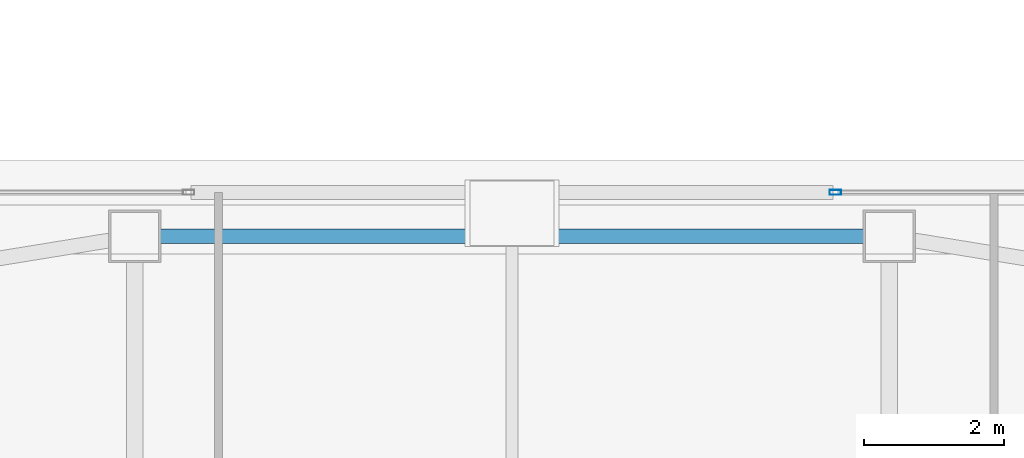
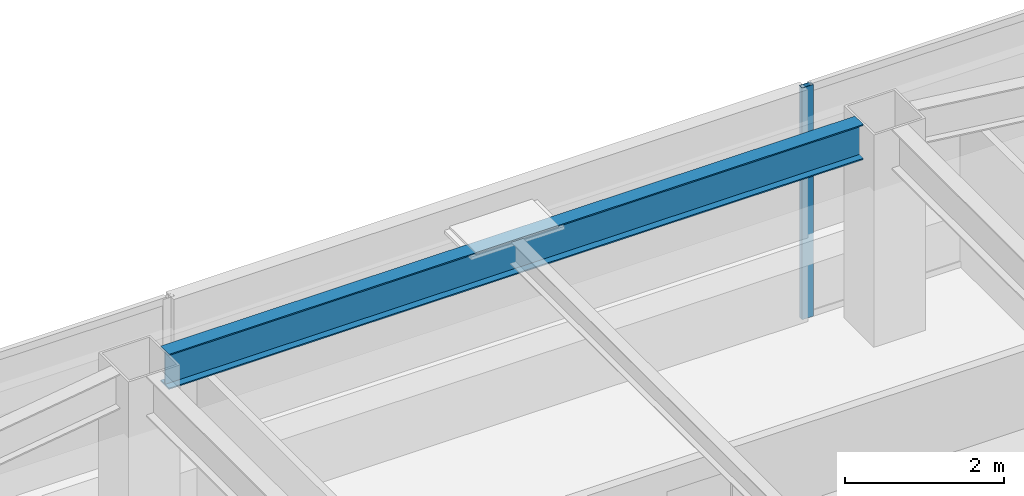
# One storey, part 14 of 39: 1 beam, 1 member, 1 element without a shape of its own.
"""IFC4 building model written with IfcOpenShell, lengths in metres."""

from ifc_helpers import new_model, si_unit, direction, frame, origin, origin_2d, place, context, subcontext, project, spatial, hollow_rectangle, i_section, extrude, material, material_profile, profile_set, type_object, element, aggregate, save


model = new_model("IFC4")

# Units and contexts
model_context = context("Model", 3, precision=1e-05, world=origin(), true_north=direction((0.0, 1.0)))
body_context = subcontext(model_context, "Body", "Model", "MODEL_VIEW")
ifc_project = project(units=[si_unit("LENGTHUNIT", "METRE"), si_unit("AREAUNIT", "SQUARE_METRE"), si_unit("VOLUMEUNIT", "CUBIC_METRE"), si_unit("PLANEANGLEUNIT", "RADIAN"), si_unit("MASSUNIT", "GRAM", prefix="KILO")], contexts=[model_context])

# Site, building, storey
site_placement = place(None, origin())
site = spatial("IfcSite", under=ifc_project, at=site_placement, CompositionType="ELEMENT")
building_placement = place(site_placement, origin())
building = spatial("IfcBuilding", under=site, at=building_placement, Name="Tashvorn Skyway Center", CompositionType="ELEMENT")
storey_placement = place(building_placement, frame((0.0, 0.0, 243.25)))
storey = spatial("IfcBuildingStorey", under=building, at=storey_placement, Name="L66", CompositionType="ELEMENT", Elevation=243.25)

# Beam
ifc_material_1 = material(Name="Steel ASTM A992 Grade 50", Category="steel")
ifc_material_profile_1 = material_profile(ifc_material_1, i_section(OverallWidth=0.2109375, OverallDepth=0.5390625, WebThickness=0.01171875, FlangeThickness=0.018798828125, at=origin_2d()), Name="W21X73")
ifc_profile_set_1 = profile_set([ifc_material_profile_1], Name="Steel ASTM A992 Grade 50")
beam_type = type_object("IfcBeamType", Name="BM-SPANDREL-W21X73", PredefinedType="SPANDREL", material=ifc_profile_set_1)
beam_placement = place(storey_placement, frame((47.030029296875, 47.050048828125, 2.98046875), z_axis=(-1.0, 0.0, 0.0), x_axis=(0.0, -1.0, 0.0)))
element("IfcBeam", 1, at=beam_placement, inside=storey, type_object=beam_type, Name="Tower 1 L66 Spandrel Beam 08", PredefinedType="SPANDREL", context=body_context, shape_type="SweptSolid", body=[
    extrude(i_section(OverallWidth=0.2109375, OverallDepth=0.5390625, WebThickness=0.01171875, FlangeThickness=0.018798828125, at=origin_2d()), origin(), (0.0, 0.0, 1.0), 10.06005859375),
])

# Curtain wall, member
ifc_material_2 = material(Name="Thermally broken bronze-anodized aluminium 6063-T6", Category="aluminium")
curtain_wall_type = type_object("IfcCurtainWallType", Name="CW-CW-Z5", PredefinedType="NOTDEFINED", material=ifc_material_2)
curtain_wall_placement = place(storey_placement, origin())
curtain_wall = element("IfcCurtainWall", 2, at=curtain_wall_placement, inside=storey, type_object=curtain_wall_type, Name="Tower 1 L66 North Unitised Curtain Wall Glazing Group 2", PredefinedType="NOTDEFINED")
ifc_material_profile_2 = material_profile(ifc_material_2, hollow_rectangle(XDim=0.070068359375, YDim=0.1650390625, WallThickness=0.00390625, at=origin_2d()), Name="ALU-MULL-70x165")
ifc_profile_set_2 = profile_set([ifc_material_profile_2], Name="Thermally broken bronze-anodized aluminium 6063-T6")
member_type = type_object("IfcMemberType", Name="CWM-CW-Z5", PredefinedType="MULLION", material=ifc_profile_set_2)
member_placement = place(storey_placement, frame((46.62841796875, 47.679931640625, 0.0), z_axis=(0.0, 0.0, 1.0), x_axis=(0.0, 1.0, 0.0)))
member = element("IfcMember", 3, at=member_placement, type_object=member_type, Name="CW-Z5 mullion 1", PredefinedType="MULLION", context=body_context, shape_type="SweptSolid", body=[
    extrude(hollow_rectangle(XDim=0.070068359375, YDim=0.1650390625, WallThickness=0.00390625, at=origin_2d()), origin(), (0.0, 0.0, 1.0), 3.550048828125),
])
aggregate(curtain_wall, [member])

save(model, "model.ifc")
